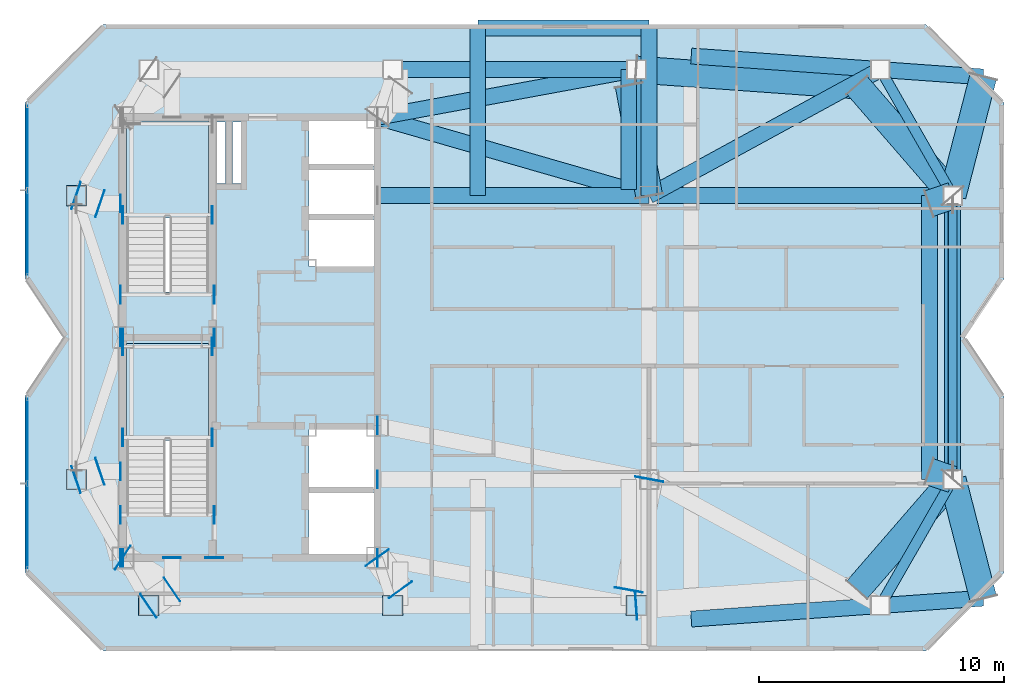
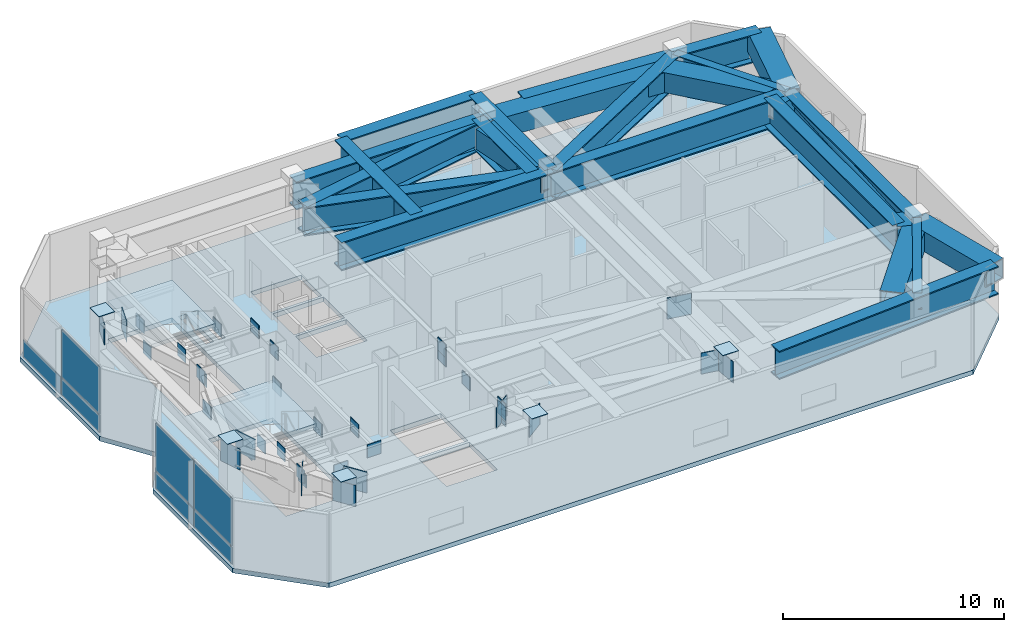
# One storey, part 6 of 15: 50 plates, 24 beams, 3 slabs, 1 member, 4 elements without a shape of their own.
"""IFC4 building model written with IfcOpenShell, lengths in metres."""

from ifc_helpers import new_model, si_unit, direction, frame, origin, origin_2d, place, context, subcontext, project, spatial, polyline, rectangle, hollow_rectangle, hollow_circle, i_section, outline, extrude, material, layer, layer_set, material_profile, profile_set, type_object, element, aggregate, save


model = new_model("IFC4")

# Units and contexts
model_context = context("Model", 3, precision=1e-05, world=origin(), true_north=direction((0.0, 1.0)))
body_context = subcontext(model_context, "Body", "Model", "MODEL_VIEW")
ifc_project = project(units=[si_unit("LENGTHUNIT", "METRE"), si_unit("AREAUNIT", "SQUARE_METRE"), si_unit("VOLUMEUNIT", "CUBIC_METRE"), si_unit("PLANEANGLEUNIT", "RADIAN"), si_unit("MASSUNIT", "GRAM", prefix="KILO")], contexts=[model_context])

# Site, building, storey
site_placement = place(None, origin())
site = spatial("IfcSite", under=ifc_project, at=site_placement, CompositionType="ELEMENT")
building_placement = place(site_placement, origin())
building = spatial("IfcBuilding", under=site, at=building_placement, Name="Khamvora Tower", CompositionType="ELEMENT")
storey_placement = place(building_placement, frame((0.0, 0.0, 290.449951171875)))
storey = spatial("IfcBuildingStorey", under=building, at=storey_placement, Name="L74", CompositionType="ELEMENT", Elevation=290.449951171875)

# Beams
ifc_material_1 = material(Name="Steel S460", Category="steel")
ifc_material_profile_1 = material_profile(ifc_material_1, hollow_rectangle(XDim=1.10009765625, YDim=1.10009765625, WallThickness=0.054931640625, at=origin_2d()), Name="BOX1100x1100x55")
ifc_profile_set_1 = profile_set([ifc_material_profile_1], Name="Steel S460")
beam_type_1 = type_object("IfcBeamType", Name="BM-TG-BOX1100", PredefinedType="BEAM", material=ifc_profile_set_1)
beam_1_placement = place(storey_placement, frame((62.89990234375, 22.199951171875, 3.22998046875), z_axis=(-0.654921173069, -0.755697199324, 0.0), x_axis=(0.755697199324, -0.654921173069, 0.0)))
element("IfcBeam", 1, at=beam_1_placement, inside=storey, type_object=beam_type_1, Name="L74 setback frame transfer frame transfer link S4.2", PredefinedType="BEAM", context=body_context, shape_type="SweptSolid", body=[
    extrude(hollow_rectangle(XDim=1.10009765625, YDim=1.10009765625, WallThickness=0.054931640625, at=origin_2d()), origin(), (0.0, 0.0, 1.0), 5.954833984375),
])
beam_2_placement = place(storey_placement, frame((50.5, 33.800048828125, 3.22998046875), z_axis=(-0.182020488605, 0.983294737974, 0.0), x_axis=(-0.983294737974, -0.182020488605, 0.0)))
element("IfcBeam", 2, at=beam_2_placement, inside=storey, type_object=beam_type_1, Name="L74 setback frame transfer frame transfer link N3.2", PredefinedType="BEAM", context=body_context, shape_type="SweptSolid", body=[
    extrude(hollow_rectangle(XDim=1.10009765625, YDim=1.10009765625, WallThickness=0.054931640625, at=origin_2d()), origin(), (0.0, 0.0, 1.0), 4.576416015625),
])
beam_3_placement = place(storey_placement, frame((62.89990234375, 33.800048828125, 3.22998046875), z_axis=(-0.654921173069, 0.755697199324, 0.0), x_axis=(-0.755697199324, -0.654921173069, 0.0)))
element("IfcBeam", 3, at=beam_3_placement, inside=storey, type_object=beam_type_1, Name="L74 setback frame transfer frame transfer link N4.2", PredefinedType="BEAM", context=body_context, shape_type="SweptSolid", body=[
    extrude(hollow_rectangle(XDim=1.10009765625, YDim=1.10009765625, WallThickness=0.054931640625, at=origin_2d()), origin(), (0.0, 0.0, 1.0), 5.954833984375),
])
beam_4_placement = place(storey_placement, frame((49.98291015625, 38.949951171875, 3.22998046875), z_axis=(0.99741270828, -0.071888033504, 0.0), x_axis=(0.071888033504, 0.99741270828, 0.0)))
element("IfcBeam", 4, at=beam_4_placement, inside=storey, type_object=beam_type_1, Name="L74 setback frame transfer frame transfer link N4.3", PredefinedType="BEAM", context=body_context, shape_type="SweptSolid", body=[
    extrude(hollow_rectangle(XDim=1.10009765625, YDim=1.10009765625, WallThickness=0.054931640625, at=origin_2d()), origin(), (0.0, 0.0, 1.0), 9.04052734375),
])
for number, where, z_axis, x_axis, name in (
    (5, (62.89990234375, 22.199951171875, 3.22998046875), (-0.946173783676, 0.323659035228, 0.0), (-0.323659035228, -0.946173783676, 0.0), "L74 setback frame transfer frame transfer link E1.1"),
    (6, (62.89990234375, 33.800048828125, 3.22998046875), (-0.946173783676, -0.323659035228, 0.0), (0.323659035228, -0.946173783676, 0.0), "L74 setback frame transfer frame transfer link E2.1"),
):
    element("IfcBeam", number, at=place(storey_placement, frame(where, z_axis=z_axis, x_axis=x_axis)), inside=storey, type_object=beam_type_1, Name=name, PredefinedType="BEAM", context=body_context, shape_type="SweptSolid", body=[
        extrude(hollow_rectangle(XDim=1.10009765625, YDim=1.10009765625, WallThickness=0.054931640625, at=origin_2d()), origin(), (0.0, 0.0, 1.0), 1.00390625),
    ])
for number, where, z_axis, x_axis, name in (
    (7, (62.89990234375, 22.199951171875, 3.22998046875), (0.249583149295, -0.968353371238, 0.0), (0.968353371238, 0.249583149295, 0.0), "L74 setback frame transfer frame transfer link EC1.2"),
    (8, (62.89990234375, 33.800048828125, 3.22998046875), (0.249583149295, 0.968353371238, 0.0), (-0.968353371238, 0.249583149295, 0.0), "L74 setback frame transfer frame transfer link EC2.2"),
):
    element("IfcBeam", number, at=place(storey_placement, frame(where, z_axis=z_axis, x_axis=x_axis)), inside=storey, type_object=beam_type_1, Name=name, PredefinedType="BEAM", context=body_context, shape_type="SweptSolid", body=[
        extrude(hollow_rectangle(XDim=1.10009765625, YDim=1.10009765625, WallThickness=0.054931640625, at=origin_2d()), origin(), (0.0, 0.0, 1.0), 5.00830078125),
    ])
ifc_material_profile_2 = material_profile(ifc_material_1, i_section(OverallWidth=0.64990234375, OverallDepth=1.550048828125, WebThickness=0.0400390625, FlangeThickness=0.06494140625, at=origin_2d()), Name="PG1550x650x40x65")
ifc_profile_set_2 = profile_set([ifc_material_profile_2], Name="Steel S460")
beam_type_2 = type_object("IfcBeamType", Name="BM-TG-PG1800", PredefinedType="BEAM", material=ifc_profile_set_2)
beam_5_placement = place(storey_placement, frame((62.89990234375, 22.199951171875, 3.005126953125), z_axis=(0.0, 1.0, 0.0), x_axis=(-1.0, 0.0, 0.0)))
element("IfcBeam", 9, at=beam_5_placement, inside=storey, type_object=beam_type_2, Name="L74 perimeter spandrel beam E1-E2", PredefinedType="BEAM", context=body_context, shape_type="SweptSolid", body=[
    extrude(i_section(OverallWidth=0.64990234375, OverallDepth=1.550048828125, WebThickness=0.0400390625, FlangeThickness=0.06494140625, at=origin_2d()), origin(), (0.0, 0.0, 1.0), 11.60009765625),
])
beam_6_placement = place(storey_placement, frame((49.98291015625, 38.949951171875, 3.005126953125), z_axis=(-1.0, 0.0, 0.0), x_axis=(0.0, -1.0, 0.0)))
element("IfcBeam", 10, at=beam_6_placement, inside=storey, type_object=beam_type_2, Name="L74 perimeter spandrel beam N3-N2", PredefinedType="BEAM", context=body_context, shape_type="SweptSolid", body=[
    extrude(i_section(OverallWidth=0.64990234375, OverallDepth=1.550048828125, WebThickness=0.0400390625, FlangeThickness=0.06494140625, at=origin_2d()), origin(), (0.0, 0.0, 1.0), 9.9658203125),
])
beam_7_placement = place(storey_placement, frame((39.39990234375, 33.800048828125, 3.005126953125), z_axis=(1.0, 0.0, 0.0), x_axis=(0.0, 1.0, 0.0)))
element("IfcBeam", 11, at=beam_7_placement, inside=storey, type_object=beam_type_2, Name="L74 north terrace back-span collector girder", PredefinedType="BEAM", context=body_context, shape_type="SweptSolid", body=[
    extrude(i_section(OverallWidth=0.64990234375, OverallDepth=1.550048828125, WebThickness=0.0400390625, FlangeThickness=0.06494140625, at=origin_2d()), origin(), (0.0, 0.0, 1.0), 11.10009765625),
])
for number, where, z_axis, x_axis, name in (
    (12, (43.5, 33.800048828125, 3.005126953125), (0.0, 1.0, 0.0), (-1.0, 0.0, 0.0), "L74 north terrace cantilever girder 1"),
    (13, (50.5, 33.800048828125, 3.005126953125), (0.0, 1.0, 0.0), (-1.0, 0.0, 0.0), "L74 north terrace cantilever girder 2"),
):
    element("IfcBeam", number, at=place(storey_placement, frame(where, z_axis=z_axis, x_axis=x_axis)), inside=storey, type_object=beam_type_2, Name=name, PredefinedType="BEAM", context=body_context, shape_type="SweptSolid", body=[
        extrude(i_section(OverallWidth=0.64990234375, OverallDepth=1.550048828125, WebThickness=0.0400390625, FlangeThickness=0.06494140625, at=origin_2d()), origin(), (0.0, 0.0, 1.0), 6.849853515625),
    ])
beam_8_placement = place(storey_placement, frame((43.5, 40.64990234375, 3.005126953125), z_axis=(1.0, 0.0, 0.0), x_axis=(0.0, 1.0, 0.0)))
element("IfcBeam", 14, at=beam_8_placement, inside=storey, type_object=beam_type_2, Name="L74 north terrace edge header beam", PredefinedType="BEAM", context=body_context, shape_type="SweptSolid", body=[
    extrude(i_section(OverallWidth=0.64990234375, OverallDepth=1.550048828125, WebThickness=0.0400390625, FlangeThickness=0.06494140625, at=origin_2d()), origin(), (0.0, 0.0, 1.0), 7.0),
])
beam_9_placement = place(storey_placement, frame((50.5, 33.800048828125, 3.005126953125), z_axis=(0.878075836292, 0.478521499748, 0.0), x_axis=(-0.478521499748, 0.878075836292, 0.0)))
element("IfcBeam", 15, at=beam_9_placement, inside=storey, type_object=beam_type_2, Name="L74 primary floor girder N4", PredefinedType="BEAM", context=body_context, shape_type="SweptSolid", body=[
    extrude(i_section(OverallWidth=0.64990234375, OverallDepth=1.550048828125, WebThickness=0.0400390625, FlangeThickness=0.06494140625, at=origin_2d()), origin(), (0.0, 0.0, 1.0), 10.76220703125),
])
beam_10_placement = place(storey_placement, frame((50.5, 33.800048828125, 3.005126953125), z_axis=(1.0, 0.0, 0.0), x_axis=(0.0, 1.0, 0.0)))
element("IfcBeam", 16, at=beam_10_placement, inside=storey, type_object=beam_type_2, Name="L74 primary floor girder E2", PredefinedType="BEAM", context=body_context, shape_type="SweptSolid", body=[
    extrude(i_section(OverallWidth=0.64990234375, OverallDepth=1.550048828125, WebThickness=0.0400390625, FlangeThickness=0.06494140625, at=origin_2d()), origin(), (0.0, 0.0, 1.0), 12.39990234375),
])
beam_11_placement = place(storey_placement, frame((39.39990234375, 37.0, 3.005126953125), z_axis=(0.960869684076, -0.277000812677, 0.0), x_axis=(0.277000812677, 0.960869684076, 0.0)))
element("IfcBeam", 17, at=beam_11_placement, inside=storey, type_object=beam_type_2, Name="L74 primary floor girder M2", PredefinedType="BEAM", context=body_context, shape_type="SweptSolid", body=[
    extrude(i_section(OverallWidth=0.64990234375, OverallDepth=1.550048828125, WebThickness=0.0400390625, FlangeThickness=0.06494140625, at=origin_2d()), origin(), (0.0, 0.0, 1.0), 11.55224609375),
])
beam_12_placement = place(storey_placement, frame((39.39990234375, 37.0, 3.005126953125), z_axis=(0.983445741851, 0.181202849962, 0.0), x_axis=(-0.181202849962, 0.983445741851, 0.0)))
element("IfcBeam", 18, at=beam_12_placement, inside=storey, type_object=beam_type_2, Name="L74 setback frame transfer core tie girder EN", PredefinedType="BEAM", context=body_context, shape_type="SweptSolid", body=[
    extrude(i_section(OverallWidth=0.64990234375, OverallDepth=1.550048828125, WebThickness=0.0400390625, FlangeThickness=0.06494140625, at=origin_2d()), origin(), (0.0, 0.0, 1.0), 10.76123046875),
])
beam_13_placement = place(storey_placement, frame((49.6669921875, 34.0400390625, 3.005126953125), z_axis=(0.0, 1.0, 0.0), x_axis=(-1.0, 0.0, 0.0)))
element("IfcBeam", 19, at=beam_13_placement, inside=storey, type_object=beam_type_2, Name="L74 setback frame transfer Box Girder N3", PredefinedType="BEAM", context=body_context, shape_type="SweptSolid", body=[
    extrude(i_section(OverallWidth=0.64990234375, OverallDepth=1.550048828125, WebThickness=0.0400390625, FlangeThickness=0.06494140625, at=origin_2d()), origin(), (0.0, 0.0, 1.0), 4.909912109375),
])
beam_14_placement = place(storey_placement, frame((61.949951171875, 22.199951171875, 3.005126953125), z_axis=(0.0, 1.0, 0.0), x_axis=(-1.0, 0.0, 0.0)))
element("IfcBeam", 20, at=beam_14_placement, inside=storey, type_object=beam_type_2, Name="L74 setback frame transfer Box Girder E1", PredefinedType="BEAM", context=body_context, shape_type="SweptSolid", body=[
    extrude(i_section(OverallWidth=0.64990234375, OverallDepth=1.550048828125, WebThickness=0.0400390625, FlangeThickness=0.06494140625, at=origin_2d()), origin(), (0.0, 0.0, 1.0), 11.60009765625),
])
for number, where, z_axis, x_axis, name in (
    (21, (52.221923828125, 16.498046875, 3.005126953125), (0.99745838892, 0.07125140261, 0.0), (-0.07125140261, 0.99745838892, 0.0), "L74 setback frame transfer Upper Box Girder EC1"),
    (22, (52.221923828125, 39.501953125, 3.005126953125), (0.99745838892, -0.07125140261, 0.0), (0.07125140261, 0.99745838892, 0.0), "L74 setback frame transfer Upper Box Girder EC2"),
):
    element("IfcBeam", number, at=place(storey_placement, frame(where, z_axis=z_axis, x_axis=x_axis)), inside=storey, type_object=beam_type_2, Name=name, PredefinedType="BEAM", context=body_context, shape_type="SweptSolid", body=[
        extrude(i_section(OverallWidth=0.64990234375, OverallDepth=1.550048828125, WebThickness=0.0400390625, FlangeThickness=0.06494140625, at=origin_2d()), origin(), (0.0, 0.0, 1.0), 11.958251953125),
    ])
ifc_material_profile_3 = material_profile(ifc_material_1, i_section(OverallWidth=0.423095703125, OverallDepth=0.93310546875, WebThickness=0.02392578125, FlangeThickness=0.04296875, FilletRadius=0.02001953125, at=origin_2d()), Name="W920x446")
ifc_profile_set_3 = profile_set([ifc_material_profile_3], Name="Steel S460")
beam_type_3 = type_object("IfcBeamType", Name="BM-TL-900", PredefinedType="BEAM", material=ifc_profile_set_3)
for number, where, z_axis, x_axis, name in (
    (23, (59.949951171875, 17.050048828125, 3.31396484375), (0.497046824242, 0.86772372015, 0.0), (-0.86772372015, 0.497046824242, 0.0), "L74 perimeter spandrel beam S4-E1"),
    (24, (62.89990234375, 33.800048828125, 3.31396484375), (-0.497046824242, 0.86772372015, 0.0), (-0.86772372015, -0.497046824242, 0.0), "L74 perimeter spandrel beam E2-N4"),
):
    element("IfcBeam", number, at=place(storey_placement, frame(where, z_axis=z_axis, x_axis=x_axis)), inside=storey, type_object=beam_type_3, Name=name, PredefinedType="BEAM", context=body_context, shape_type="SweptSolid", body=[
        extrude(i_section(OverallWidth=0.423095703125, OverallDepth=0.93310546875, WebThickness=0.02392578125, FlangeThickness=0.04296875, FilletRadius=0.02001953125, at=origin_2d()), origin(), (0.0, 0.0, 1.0), 5.93505859375),
    ])

# Member
ifc_material_2 = material(Name="Steel S355", Category="steel")
ifc_material_profile_4 = material_profile(ifc_material_2, hollow_circle(Radius=0.177978515625, WallThickness=0.013916015625, at=origin_2d()), Name="CHS356x14")
ifc_profile_set_4 = profile_set([ifc_material_profile_4], Name="Steel S355")
member_type = type_object("IfcMemberType", Name="MEM-BR-CHS356", PredefinedType="BRACE", material=ifc_profile_set_4)
member_placement = place(storey_placement, frame((62.89990234375, 22.5791015625, 2.70703125), z_axis=(0.0, 0.997421855475, 0.071761007662), x_axis=(-1.0, 0.0, 0.0)))
element("IfcMember", 25, at=member_placement, inside=storey, type_object=member_type, Name="L74 perimeter wind brace 2", PredefinedType="BRACE", context=body_context, shape_type="SweptSolid", body=[
    extrude(hollow_circle(Radius=0.177978515625, WallThickness=0.013916015625, at=origin_2d()), origin(), (0.0, 0.0, 1.0), 10.869873046875),
])

# Curtain wall, plates
ifc_material_3 = material(Name="Anodised Aluminium 6063-T6", Category="aluminium")
curtain_wall_type = type_object("IfcCurtainWallType", Name="CW-SYS-06", PredefinedType="NOTDEFINED", material=ifc_material_3)
curtain_wall_1_placement = place(storey_placement, origin())
curtain_wall_1 = element("IfcCurtainWall", 26, at=curtain_wall_1_placement, inside=storey, type_object=curtain_wall_type, Name="L74 stick curtain wall 02.1", PredefinedType="NOTDEFINED")
ifc_material_4 = material(Name="Low-E Laminated Double Glazing", Category="glass")
ifc_layer_1 = layer(ifc_material_4, 0.0380859375)
ifc_layer_set_1 = layer_set([ifc_layer_1], Name="Low-E Laminated Double Glazing")
plate_type_1 = type_object("IfcPlateType", Name="CW-SYS-06-PNL", PredefinedType="CURTAIN_PANEL", material=ifc_layer_set_1)
plate_1_placement = place(storey_placement, frame((25.10009765625, 20.29052734375, 0.080078125), z_axis=(0.0, 0.0, 1.0), x_axis=(0.0, 1.0, 0.0)))
plate_1 = element("IfcPlate", 27, at=plate_1_placement, type_object=plate_type_1, Name="CW-06 panel 1.1", PredefinedType="CURTAIN_PANEL", context=body_context, shape_type="SweptSolid", body=[
    extrude(rectangle(XDim=3.4130859375, YDim=0.0380859375, at=origin_2d()), origin(), (0.0, 0.0, 1.0), 0.929931640625),
])
plate_2_placement = place(storey_placement, frame((25.10009765625, 20.29052734375, 1.08984375), z_axis=(0.0, 0.0, 1.0), x_axis=(0.0, 1.0, 0.0)))
plate_2 = element("IfcPlate", 28, at=plate_2_placement, type_object=plate_type_1, Name="CW-06 panel 1.2", PredefinedType="CURTAIN_PANEL", context=body_context, shape_type="SweptSolid", body=[
    extrude(rectangle(XDim=3.4130859375, YDim=0.0380859375, at=origin_2d()), origin(), (0.0, 0.0, 1.0), 2.610107421875),
])
plate_3_placement = place(storey_placement, frame((25.10009765625, 23.783447265625, 0.080078125), z_axis=(0.0, 0.0, 1.0), x_axis=(0.0, 1.0, 0.0)))
plate_3 = element("IfcPlate", 29, at=plate_3_placement, type_object=plate_type_1, Name="CW-06 panel 2.1", PredefinedType="CURTAIN_PANEL", context=body_context, shape_type="SweptSolid", body=[
    extrude(rectangle(XDim=3.4130859375, YDim=0.0380859375, at=origin_2d()), origin(), (0.0, 0.0, 1.0), 0.929931640625),
])
plate_4_placement = place(storey_placement, frame((25.10009765625, 23.783447265625, 1.08984375), z_axis=(0.0, 0.0, 1.0), x_axis=(0.0, 1.0, 0.0)))
plate_4 = element("IfcPlate", 30, at=plate_4_placement, type_object=plate_type_1, Name="CW-06 panel 2.2", PredefinedType="CURTAIN_PANEL", context=body_context, shape_type="SweptSolid", body=[
    extrude(rectangle(XDim=3.4130859375, YDim=0.0380859375, at=origin_2d()), origin(), (0.0, 0.0, 1.0), 2.610107421875),
])
aggregate(curtain_wall_1, [plate_1, plate_2, plate_3, plate_4])

curtain_wall_2_placement = place(storey_placement, origin())
curtain_wall_2 = element("IfcCurtainWall", 31, at=curtain_wall_2_placement, inside=storey, type_object=curtain_wall_type, Name="L74 stick curtain wall 05.1", PredefinedType="NOTDEFINED")
plate_5_placement = place(storey_placement, frame((25.10009765625, 32.267578125, 0.080078125), z_axis=(0.0, 0.0, 1.0), x_axis=(0.0, 1.0, 0.0)))
plate_5 = element("IfcPlate", 32, at=plate_5_placement, type_object=plate_type_1, Name="CW-06 panel 1.1", PredefinedType="CURTAIN_PANEL", context=body_context, shape_type="SweptSolid", body=[
    extrude(rectangle(XDim=3.4208984375, YDim=0.0380859375, at=origin_2d()), origin(), (0.0, 0.0, 1.0), 0.929931640625),
])
plate_6_placement = place(storey_placement, frame((25.10009765625, 32.267578125, 1.08984375), z_axis=(0.0, 0.0, 1.0), x_axis=(0.0, 1.0, 0.0)))
plate_6 = element("IfcPlate", 33, at=plate_6_placement, type_object=plate_type_1, Name="CW-06 panel 1.2", PredefinedType="CURTAIN_PANEL", context=body_context, shape_type="SweptSolid", body=[
    extrude(rectangle(XDim=3.4208984375, YDim=0.0380859375, at=origin_2d()), origin(), (0.0, 0.0, 1.0), 2.610107421875),
])
plate_7_placement = place(storey_placement, frame((25.10009765625, 35.7685546875, 0.080078125), z_axis=(0.0, 0.0, 1.0), x_axis=(0.0, 1.0, 0.0)))
plate_7 = element("IfcPlate", 34, at=plate_7_placement, type_object=plate_type_1, Name="CW-06 panel 2.1", PredefinedType="CURTAIN_PANEL", context=body_context, shape_type="SweptSolid", body=[
    extrude(rectangle(XDim=3.4208984375, YDim=0.0380859375, at=origin_2d()), origin(), (0.0, 0.0, 1.0), 0.929931640625),
])
aggregate(curtain_wall_2, [plate_5, plate_6, plate_7])

# Plates
ifc_layer_2 = layer(ifc_material_2, 0.02490234375)
ifc_layer_set_2 = layer_set([ifc_layer_2], Name="Steel S355")
plate_type_2 = type_object("IfcPlateType", Name="PL-CAP-25", PredefinedType="SHEET", material=ifc_layer_set_2)
for number, where, z_axis, x_axis, name in (
    (35, (30.050048828125, 17.050048828125, 4.174560546875), (0.0, 0.0, 1.0), (1.0, 0.0, 0.0), "L74 hollow section steel end cap plate 0311"),
    (36, (40.02001953125, 17.050048828125, 4.174560546875), (0.0, 0.0, 1.0), (1.0, 0.0, 0.0), "L74 hollow section steel end cap plate 0313"),
    (37, (49.97998046875, 17.050048828125, 4.174560546875), (0.0, 0.0, 1.0), (1.0, 0.0, 0.0), "L74 hollow section steel end cap plate 0315"),
    (38, (27.10009765625, 22.199951171875, 4.174560546875), (0.0, 0.0, 1.0), (1.0, 0.0, 0.0), "L74 hollow section steel end cap plate 0327"),
    (39, (27.10009765625, 33.800048828125, 4.174560546875), (0.0, 0.0, 1.0), (1.0, 0.0, 0.0), "L74 hollow section steel end cap plate 0329"),
):
    element("IfcPlate", number, at=place(storey_placement, frame(where, z_axis=z_axis, x_axis=x_axis)), inside=storey, type_object=plate_type_2, Name=name, PredefinedType="SHEET", context=body_context, shape_type="SweptSolid", body=[
        extrude(rectangle(XDim=0.830078125, YDim=0.830078125, at=origin_2d()), origin(), (0.0, 0.0, 1.0), 0.02490234375),
    ])
for number, where, z_axis, x_axis, name in (
    (40, (30.0400390625, 17.04296875, 2.64990234375), (0.0, 0.0, 1.0), (0.825310658693, 0.564678950066, 0.0), "L74 hollow section steel end cap plate 1281"),
    (41, (31.010009765625, 17.70703125, 2.64990234375), (0.0, 0.0, 1.0), (0.825310658693, 0.564678950066, 0.0), "L74 hollow section steel end cap plate 1282"),
    (42, (28.989990234375, 19.007080078125, 2.64990234375), (0.0, 0.0, 1.0), (0.83844235651, -0.54499028873, 0.0), "L74 hollow section steel end cap plate 1283"),
    (43, (39.39306640625, 19.010009765625, 2.64990234375), (0.0, 0.0, 1.0), (0.583073388059, -0.812419487788, 0.0), "L74 hollow section steel end cap plate 1284"),
    (44, (40.340087890625, 17.68994140625, 2.64990234375), (0.0, 0.0, 1.0), (0.583073388059, -0.812419487788, 0.0), "L74 hollow section steel end cap plate 1285"),
    (45, (50.501953125, 22.2119140625, 2.64990234375), (0.0, 0.0, 1.0), (-0.182012427341, -0.983296230184, 0.0), "L74 hollow section steel end cap plate 1286"),
    (46, (49.6650390625, 17.68798828125, 2.64990234375), (0.0, 0.0, 1.0), (-0.182012427341, -0.983296230184, 0.0), "L74 hollow section steel end cap plate 1287"),
    (47, (49.970947265625, 17.049072265625, 2.64990234375), (0.0, 0.0, 1.0), (0.997412001653, 0.071897836954, 0.0), "L74 hollow section steel end cap plate 1290"),
    (48, (27.087890625, 22.196044921875, 2.64990234375), (0.0, 0.0, 1.0), (0.94616447854, 0.323686236267, 0.0), "L74 hollow section steel end cap plate 1301"),
    (49, (28.06201171875, 22.529052734375, 2.64990234375), (0.0, 0.0, 1.0), (0.94616447854, 0.323686236267, 0.0), "L74 hollow section steel end cap plate 1302"),
    (50, (27.087890625, 33.803955078125, 2.64990234375), (0.0, 0.0, 1.0), (0.94616447854, -0.323686236267, 0.0), "L74 hollow section steel end cap plate 1303"),
    (51, (28.06201171875, 33.470947265625, 2.64990234375), (0.0, 0.0, 1.0), (0.94616447854, -0.323686236267, 0.0), "L74 hollow section steel end cap plate 1304"),
):
    element("IfcPlate", number, at=place(storey_placement, frame(where, z_axis=z_axis, x_axis=x_axis)), inside=storey, type_object=plate_type_2, Name=name, PredefinedType="SHEET", context=body_context, shape_type="SweptSolid", body=[
        extrude(rectangle(XDim=0.02490234375, YDim=1.159912109375, at=origin_2d()), origin(), (0.0, 0.0, 1.0), 1.159912109375),
    ])
ifc_layer_3 = layer(ifc_material_1, 0.034912109375)
ifc_layer_set_3 = layer_set([ifc_layer_3], Name="Steel S460")
plate_type_3 = type_object("IfcPlateType", Name="PL-EMB-35", PredefinedType="SHEET", material=ifc_layer_set_3)
for number, where, z_axis, x_axis, name in (
    (52, (29.0, 23.9150390625, 1.4091796875), (0.0, 0.0, 1.0), (1.0, 0.0, 0.0), "L74 core shear wall cast-in embed plate 2160"),
    (53, (32.64990234375, 23.9150390625, 1.4091796875), (0.0, 0.0, 1.0), (1.0, 0.0, 0.0), "L74 core shear wall cast-in embed plate 2161"),
    (54, (29.0, 27.6298828125, 1.4091796875), (0.0, 0.0, 1.0), (1.0, 0.0, 0.0), "L74 core shear wall cast-in embed plate 2162"),
    (55, (32.64990234375, 27.6298828125, 1.4091796875), (0.0, 0.0, 1.0), (1.0, 0.0, 0.0), "L74 core shear wall cast-in embed plate 2163"),
    (56, (29.0, 33.014892578125, 1.4091796875), (0.0, 0.0, 1.0), (1.0, 0.0, 0.0), "L74 core shear wall cast-in embed plate 2164"),
    (57, (32.64990234375, 33.014892578125, 1.4091796875), (0.0, 0.0, 1.0), (1.0, 0.0, 0.0), "L74 core shear wall cast-in embed plate 2165"),
    (58, (39.39990234375, 22.199951171875, 2.64501953125), (0.0, 0.0, 1.0), (1.0, 0.0, 0.0), "L74 core shear wall cast-in embed plate 2169"),
    (59, (39.39990234375, 19.0, 2.9541015625), (0.0, 0.0, 1.0), (1.0, 0.0, 0.0), "L74 core shear wall cast-in embed plate 2171"),
    (60, (29.0, 28.0, 2.9541015625), (0.0, 0.0, 1.0), (1.0, 0.0, 0.0), "L74 core shear wall cast-in embed plate 2173"),
    (61, (39.39990234375, 24.39990234375, 2.64501953125), (0.0, 0.0, 1.0), (1.0, 0.0, 0.0), "L74 core shear wall cast-in embed plate 2174"),
    (62, (28.89990234375, 19.0, 3.154296875), (0.0, 0.0, 1.0), (1.0, 0.0, 0.0), "L74 core shear wall cast-in embed plate 2176"),
    (63, (28.89990234375, 28.0, 3.154296875), (0.0, 0.0, 1.0), (1.0, 0.0, 0.0), "L74 core shear wall cast-in embed plate 2177"),
):
    element("IfcPlate", number, at=place(storey_placement, frame(where, z_axis=z_axis, x_axis=x_axis)), inside=storey, type_object=plate_type_3, Name=name, PredefinedType="SHEET", context=body_context, shape_type="SweptSolid", body=[
        extrude(rectangle(XDim=0.034912109375, YDim=0.719970703125, at=origin_2d()), origin(), (0.0, 0.0, 1.0), 0.719970703125),
    ])
plate_8_placement = place(storey_placement, frame((32.72998046875, 19.0, 3.154296875), z_axis=(0.0, 0.0, 1.0), x_axis=(1.0, 0.0, 0.0)))
element("IfcPlate", 64, at=plate_8_placement, inside=storey, type_object=plate_type_3, Name="L74 core shear wall cast-in embed plate 2179", PredefinedType="SHEET", context=body_context, shape_type="SweptSolid", body=[
    extrude(rectangle(XDim=0.719970703125, YDim=0.034912109375, at=origin_2d()), origin(), (0.0, 0.0, 1.0), 0.719970703125),
])
for number, where, z_axis, x_axis, name in (
    (65, (32.72998046875, 28.0, 3.154296875), (0.0, 0.0, 1.0), (1.0, 0.0, 0.0), "L74 core shear wall cast-in embed plate 2180"),
    (66, (39.39990234375, 19.0, 3.154296875), (0.0, 0.0, 1.0), (1.0, 0.0, 0.0), "L74 core shear wall cast-in embed plate 2182"),
    (67, (39.39990234375, 24.39990234375, 3.154296875), (0.0, 0.0, 1.0), (1.0, 0.0, 0.0), "L74 core shear wall cast-in embed plate 2183"),
    (68, (28.89990234375, 20.75, 3.2939453125), (0.0, 0.0, 1.0), (1.0, 0.0, 0.0), "L74 core shear wall cast-in embed plate 2185"),
    (69, (32.72998046875, 20.75, 3.2939453125), (0.0, 0.0, 1.0), (1.0, 0.0, 0.0), "L74 core shear wall cast-in embed plate 2186"),
    (70, (28.89990234375, 29.75, 3.2939453125), (0.0, 0.0, 1.0), (1.0, 0.0, 0.0), "L74 core shear wall cast-in embed plate 2187"),
    (71, (32.72998046875, 29.75, 3.2939453125), (0.0, 0.0, 1.0), (1.0, 0.0, 0.0), "L74 core shear wall cast-in embed plate 2188"),
    (72, (39.39990234375, 19.0, 2.64501953125), (0.0, 0.0, 1.0), (1.0, 0.0, 0.0), "L74 core shear wall cast-in embed plate 2189"),
):
    element("IfcPlate", number, at=place(storey_placement, frame(where, z_axis=z_axis, x_axis=x_axis)), inside=storey, type_object=plate_type_3, Name=name, PredefinedType="SHEET", context=body_context, shape_type="SweptSolid", body=[
        extrude(rectangle(XDim=0.034912109375, YDim=0.719970703125, at=origin_2d()), origin(), (0.0, 0.0, 1.0), 0.719970703125),
    ])
plate_9_placement = place(storey_placement, frame((31.0, 19.0, 2.64501953125), z_axis=(0.0, 0.0, 1.0), x_axis=(1.0, 0.0, 0.0)))
element("IfcPlate", 73, at=plate_9_placement, inside=storey, type_object=plate_type_3, Name="L74 core shear wall cast-in embed plate 2190", PredefinedType="SHEET", context=body_context, shape_type="SweptSolid", body=[
    extrude(rectangle(XDim=0.719970703125, YDim=0.034912109375, at=origin_2d()), origin(), (0.0, 0.0, 1.0), 0.719970703125),
])
for number, where, z_axis, x_axis, name in (
    (74, (28.89990234375, 22.52490234375, 2.64501953125), (0.0, 0.0, 1.0), (1.0, 0.0, 0.0), "L74 core shear wall cast-in embed plate 2192"),
    (75, (28.89990234375, 33.47509765625, 2.64501953125), (0.0, 0.0, 1.0), (1.0, 0.0, 0.0), "L74 core shear wall cast-in embed plate 2193"),
    (76, (29.0, 19.0, 2.8701171875), (0.0, 0.0, 1.0), (1.0, 0.0, 0.0), "L74 core shear wall cast-in embed plate 2194"),
    (77, (39.39990234375, 19.0, 2.8701171875), (0.0, 0.0, 1.0), (1.0, 0.0, 0.0), "L74 core shear wall cast-in embed plate 2195"),
):
    element("IfcPlate", number, at=place(storey_placement, frame(where, z_axis=z_axis, x_axis=x_axis)), inside=storey, type_object=plate_type_3, Name=name, PredefinedType="SHEET", context=body_context, shape_type="SweptSolid", body=[
        extrude(rectangle(XDim=0.034912109375, YDim=0.719970703125, at=origin_2d()), origin(), (0.0, 0.0, 1.0), 0.719970703125),
    ])

# Slab
ifc_material_5 = material(Name="Concrete C35/45", Category="concrete")
ifc_layer_4 = layer(ifc_material_5, 0.25)
ifc_layer_set_4 = layer_set([ifc_layer_4], Name="Concrete C35/45")
slab_type_1 = type_object("IfcSlabType", Name="SLB-CRN-250", PredefinedType="FLOOR", material=ifc_layer_set_4)
slab_1_placement = place(storey_placement, frame((0.0, 0.0, -0.25)))
element("IfcSlab", 78, at=slab_1_placement, inside=storey, type_object=slab_type_1, Name="L74 structural floor slab", PredefinedType="FLOOR", context=body_context, shape_type="SweptSolid", body=[
    extrude(outline(polyline([(28.199951171875, 15.199951171875), (61.800048828125, 15.199951171875), (65.0, 18.39990234375), (65.0, 25.60009765625), (63.39990234375, 28.0), (65.0, 30.39990234375), (65.0, 37.60009765625), (61.800048828125, 40.800048828125), (28.199951171875, 40.800048828125), (25.0, 37.60009765625), (25.0, 30.39990234375), (26.60009765625, 28.0), (25.0, 25.60009765625), (25.0, 18.39990234375), (28.199951171875, 15.199951171875)]), holes=[polyline([(32.5, 20.760009765625), (32.5, 27.75), (29.14990234375, 27.75), (29.14990234375, 20.760009765625), (32.5, 20.760009765625)]), polyline([(32.5, 29.860107421875), (32.5, 36.85009765625), (29.14990234375, 36.85009765625), (29.14990234375, 29.860107421875), (32.5, 29.860107421875)]), polyline([(36.60009765625, 19.14990234375), (39.25, 19.14990234375), (39.25, 21.64990234375), (36.60009765625, 21.64990234375), (36.60009765625, 19.14990234375)]), polyline([(36.60009765625, 21.800048828125), (39.25, 21.800048828125), (39.25, 24.25), (36.60009765625, 24.25), (36.60009765625, 21.800048828125)]), polyline([(36.60009765625, 30.89990234375), (39.25, 30.89990234375), (39.25, 32.800048828125), (36.60009765625, 32.800048828125), (36.60009765625, 30.89990234375)]), polyline([(36.60009765625, 32.949951171875), (39.25, 32.949951171875), (39.25, 34.85009765625), (36.60009765625, 34.85009765625), (36.60009765625, 32.949951171875)]), polyline([(36.60009765625, 35.0), (39.25, 35.0), (39.25, 36.85009765625), (36.60009765625, 36.85009765625), (36.60009765625, 35.0)]), polyline([(32.800048828125, 34.300048828125), (33.199951171875, 34.300048828125), (33.199951171875, 36.800048828125), (32.800048828125, 36.800048828125), (32.800048828125, 34.300048828125)]), polyline([(33.47998046875, 34.300048828125), (33.820068359375, 34.300048828125), (33.820068359375, 36.800048828125), (33.47998046875, 36.800048828125), (33.47998046875, 34.300048828125)])]), origin(), (0.0, 0.0, 1.0), 0.25),
])

# Stair, slab
ifc_material_6 = material(Name="Concrete C40/50", Category="concrete")
stair_type_1 = type_object("IfcStairType", Name="STR-ST-01", PredefinedType="HALF_TURN_STAIR", material=ifc_material_6)
stair_1_placement = place(storey_placement, origin())
stair_1 = element("IfcStair", 79, at=stair_1_placement, inside=storey, type_object=stair_type_1, Name="L74 South Tower Exit Stair ST-01", PredefinedType="HALF_TURN_STAIR")
ifc_layer_5 = layer(ifc_material_6, 0.199951171875)
ifc_layer_set_5 = layer_set([ifc_layer_5], Name="Concrete C40/50")
slab_type_2 = type_object("IfcSlabType", Name="SLB-LND-200", PredefinedType="LANDING", material=ifc_layer_set_5)
slab_2_placement = place(storey_placement, frame((0.0, 0.0, 1.900146484375)))
slab_2 = element("IfcSlab", 80, at=slab_2_placement, type_object=slab_type_2, Name="ST-01 landing 1", PredefinedType="LANDING", context=body_context, shape_type="SweptSolid", body=[
    extrude(outline(polyline([(32.5, 23.794921875), (32.5, 27.75), (29.14990234375, 27.75), (29.14990234375, 23.794921875), (32.5, 23.794921875)])), origin(), (0.0, 0.0, 1.0), 0.199951171875),
])
aggregate(stair_1, [slab_2])

stair_type_2 = type_object("IfcStairType", Name="STR-ST-02", PredefinedType="HALF_TURN_STAIR", material=ifc_material_6)
stair_2_placement = place(storey_placement, origin())
stair_2 = element("IfcStair", 81, at=stair_2_placement, inside=storey, type_object=stair_type_2, Name="L74 North Tower Exit Stair ST-02", PredefinedType="HALF_TURN_STAIR")
slab_3_placement = place(storey_placement, frame((0.0, 0.0, 1.900146484375)))
slab_3 = element("IfcSlab", 82, at=slab_3_placement, type_object=slab_type_2, Name="ST-02 landing 1", PredefinedType="LANDING", context=body_context, shape_type="SweptSolid", body=[
    extrude(outline(polyline([(32.5, 32.89501953125), (32.5, 36.85009765625), (29.14990234375, 36.85009765625), (29.14990234375, 32.89501953125), (32.5, 32.89501953125)])), origin(), (0.0, 0.0, 1.0), 0.199951171875),
])
aggregate(stair_2, [slab_3])

save(model, "model.ifc")
